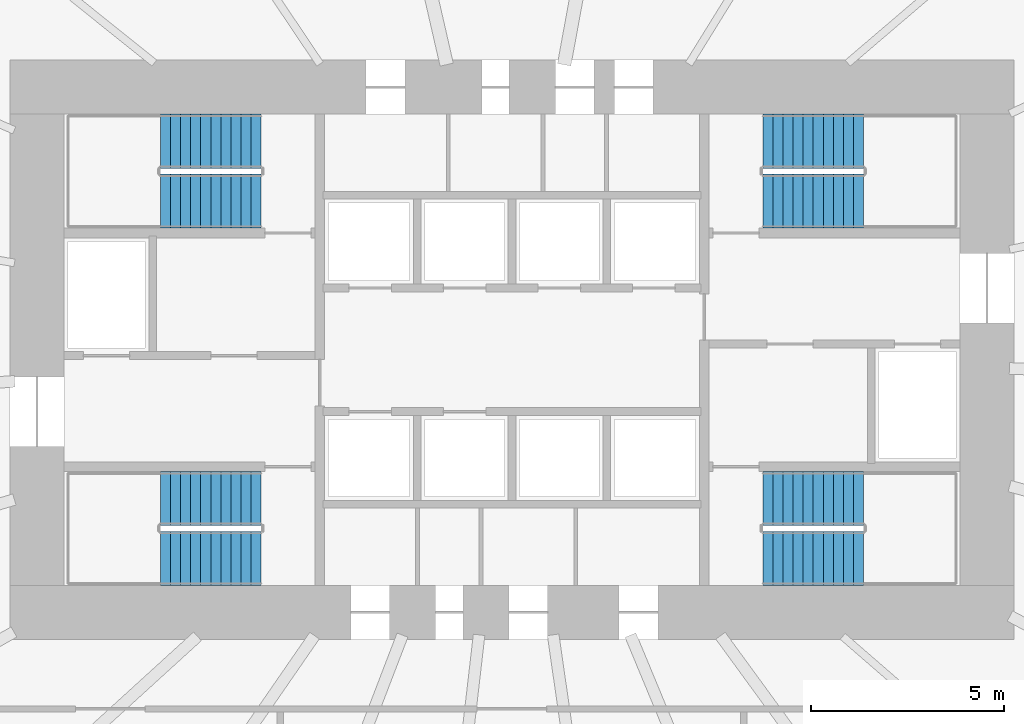
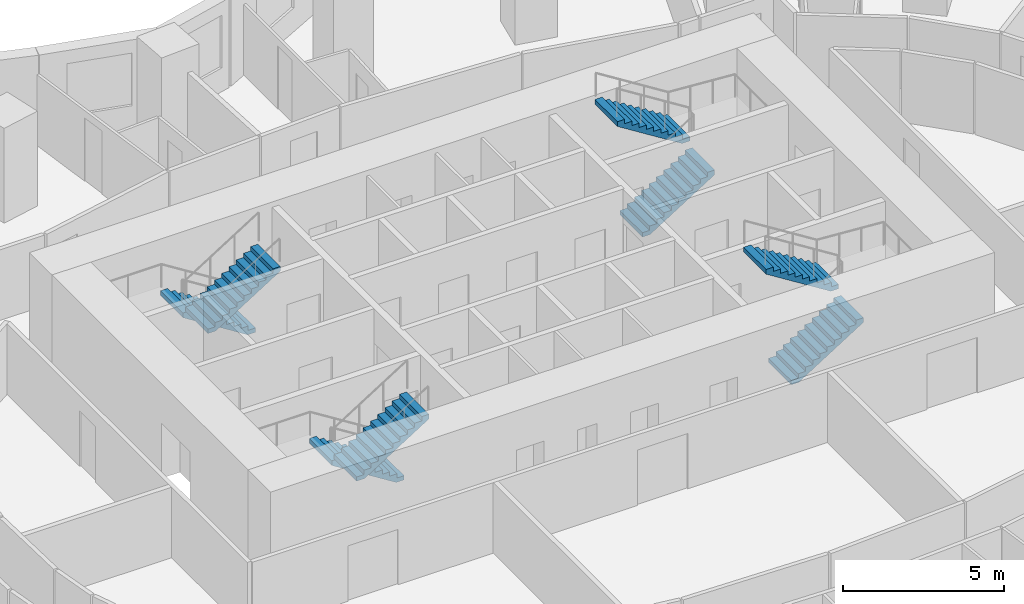
# One storey, part 10 of 11: 8 stair flights, 4 elements without a shape of their own.
"""IFC4 building model written with IfcOpenShell, lengths in metres."""

from ifc_helpers import new_model, si_unit, direction, frame, origin, place, context, subcontext, project, spatial, polyline, outline, extrude, material, type_object, element, aggregate, save


model = new_model("IFC4")

# Units and contexts
model_context = context("Model", 3, precision=1e-05, world=origin(), true_north=direction((0.0, 1.0)))
body_context = subcontext(model_context, "Body", "Model", "MODEL_VIEW")
ifc_project = project(units=[si_unit("LENGTHUNIT", "METRE"), si_unit("AREAUNIT", "SQUARE_METRE"), si_unit("VOLUMEUNIT", "CUBIC_METRE"), si_unit("PLANEANGLEUNIT", "RADIAN"), si_unit("MASSUNIT", "GRAM", prefix="KILO")], contexts=[model_context])

# Site, building, storey
site_placement = place(None, origin())
site = spatial("IfcSite", under=ifc_project, at=site_placement, CompositionType="ELEMENT")
building_placement = place(site_placement, origin())
building = spatial("IfcBuilding", under=site, at=building_placement, Name="Rubra Terraces Tower", CompositionType="ELEMENT")
storey_placement = place(building_placement, frame((0.0, 0.0, 66.300048828125)))
storey = spatial("IfcBuildingStorey", under=building, at=storey_placement, Name="L14", CompositionType="ELEMENT", Elevation=66.300048828125)

# Stair, stair flights
ifc_material = material(Name="Concrete C40", Category="concrete")
stair_type = type_object("IfcStairType", Name="Core stair 1400", PredefinedType="HALF_TURN_STAIR", material=ifc_material)
stair_1_placement = place(storey_placement, origin())
stair_1 = element("IfcStair", 1, at=stair_1_placement, inside=storey, type_object=stair_type, Name="L14 Exit stair S1", PredefinedType="HALF_TURN_STAIR")
stair_flight_type = type_object("IfcStairFlightType", Name="Core stair flight 1400", PredefinedType="STRAIGHT", material=ifc_material)
stair_flight_1_placement = place(storey_placement, frame((-6.5, 0.64990234375, 0.0), z_axis=(0.0, 0.0, 1.0), x_axis=(-1.0, 0.0, 0.0)))
stair_flight_1 = element("IfcStairFlight", 2, at=stair_flight_1_placement, type_object=stair_flight_type, Name="S1 flight 1", NumberOfRisers=11, NumberOfTreads=10, PredefinedType="STRAIGHT", RiserHeight=0.163636364, TreadLength=0.26, context=body_context, shape_type="SweptSolid", body=[
    extrude(outline(polyline([(0.0, 0.0), (0.0, 0.16357421875), (0.260009765625, 0.16357421875), (0.260009765625, 0.327392578125), (0.52001953125, 0.327392578125), (0.52001953125, 0.490966796875), (0.780029296875, 0.490966796875), (0.780029296875, 0.654541015625), (1.0400390625, 0.654541015625), (1.0400390625, 0.818115234375), (1.300048828125, 0.818115234375), (1.300048828125, 0.98193359375), (1.56005859375, 0.98193359375), (1.56005859375, 1.1455078125), (1.820068359375, 1.1455078125), (1.820068359375, 1.30908203125), (2.080078125, 1.30908203125), (2.080078125, 1.47265625), (2.340087890625, 1.47265625), (2.340087890625, 1.636474609375), (2.60009765625, 1.636474609375), (2.60009765625, 1.800048828125), (2.60009765625, 1.459228515625), (0.281494140625, 0.0), (0.0, 0.0)])), frame((0.0, 0.699951171875, 0.0), z_axis=(0.0, -1.0, 0.0), x_axis=(1.0, 0.0, 0.0)), (0.0, 0.0, 1.0), 1.39990234375),
])
stair_flight_2_placement = place(storey_placement, frame((-9.10009765625, -0.89990234375, 1.800048828125), z_axis=(0.0, 0.0, 1.0), x_axis=(1.0, 0.0, 0.0)))
stair_flight_2 = element("IfcStairFlight", 3, at=stair_flight_2_placement, type_object=stair_flight_type, Name="S1 flight 2", NumberOfRisers=11, NumberOfTreads=10, PredefinedType="STRAIGHT", RiserHeight=0.163636364, TreadLength=0.26, context=body_context, shape_type="SweptSolid", body=[
    extrude(outline(polyline([(0.0, 0.0), (0.0, 0.16357421875), (0.260009765625, 0.16357421875), (0.260009765625, 0.327392578125), (0.52001953125, 0.327392578125), (0.52001953125, 0.490966796875), (0.780029296875, 0.490966796875), (0.780029296875, 0.654541015625), (1.0400390625, 0.654541015625), (1.0400390625, 0.818115234375), (1.300048828125, 0.818115234375), (1.300048828125, 0.98193359375), (1.56005859375, 0.98193359375), (1.56005859375, 1.1455078125), (1.820068359375, 1.1455078125), (1.820068359375, 1.30908203125), (2.080078125, 1.30908203125), (2.080078125, 1.47265625), (2.340087890625, 1.47265625), (2.340087890625, 1.636474609375), (2.60009765625, 1.636474609375), (2.60009765625, 1.800048828125), (2.60009765625, 1.459228515625), (0.281494140625, 0.0), (0.0, 0.0)])), frame((0.0, 0.699951171875, 0.0), z_axis=(0.0, -1.0, 0.0), x_axis=(1.0, 0.0, 0.0)), (0.0, 0.0, 1.0), 1.39990234375),
])
aggregate(stair_1, [stair_flight_1, stair_flight_2])

stair_2_placement = place(storey_placement, origin())
stair_2 = element("IfcStair", 4, at=stair_2_placement, inside=storey, type_object=stair_type, Name="L14 Exit stair S2", PredefinedType="HALF_TURN_STAIR")
stair_flight_3_placement = place(storey_placement, frame((-6.5, 9.89990234375, 0.0), z_axis=(0.0, 0.0, 1.0), x_axis=(-1.0, 0.0, 0.0)))
stair_flight_3 = element("IfcStairFlight", 5, at=stair_flight_3_placement, type_object=stair_flight_type, Name="S2 flight 1", NumberOfRisers=11, NumberOfTreads=10, PredefinedType="STRAIGHT", RiserHeight=0.163636364, TreadLength=0.26, context=body_context, shape_type="SweptSolid", body=[
    extrude(outline(polyline([(0.0, 0.0), (0.0, 0.16357421875), (0.260009765625, 0.16357421875), (0.260009765625, 0.327392578125), (0.52001953125, 0.327392578125), (0.52001953125, 0.490966796875), (0.780029296875, 0.490966796875), (0.780029296875, 0.654541015625), (1.0400390625, 0.654541015625), (1.0400390625, 0.818115234375), (1.300048828125, 0.818115234375), (1.300048828125, 0.98193359375), (1.56005859375, 0.98193359375), (1.56005859375, 1.1455078125), (1.820068359375, 1.1455078125), (1.820068359375, 1.30908203125), (2.080078125, 1.30908203125), (2.080078125, 1.47265625), (2.340087890625, 1.47265625), (2.340087890625, 1.636474609375), (2.60009765625, 1.636474609375), (2.60009765625, 1.800048828125), (2.60009765625, 1.459228515625), (0.281494140625, 0.0), (0.0, 0.0)])), frame((0.0, 0.699951171875, 0.0), z_axis=(0.0, -1.0, 0.0), x_axis=(1.0, 0.0, 0.0)), (0.0, 0.0, 1.0), 1.39990234375),
])
stair_flight_4_placement = place(storey_placement, frame((-9.10009765625, 8.35009765625, 1.800048828125), z_axis=(0.0, 0.0, 1.0), x_axis=(1.0, 0.0, 0.0)))
stair_flight_4 = element("IfcStairFlight", 6, at=stair_flight_4_placement, type_object=stair_flight_type, Name="S2 flight 2", NumberOfRisers=11, NumberOfTreads=10, PredefinedType="STRAIGHT", RiserHeight=0.163636364, TreadLength=0.26, context=body_context, shape_type="SweptSolid", body=[
    extrude(outline(polyline([(0.0, 0.0), (0.0, 0.16357421875), (0.260009765625, 0.16357421875), (0.260009765625, 0.327392578125), (0.52001953125, 0.327392578125), (0.52001953125, 0.490966796875), (0.780029296875, 0.490966796875), (0.780029296875, 0.654541015625), (1.0400390625, 0.654541015625), (1.0400390625, 0.818115234375), (1.300048828125, 0.818115234375), (1.300048828125, 0.98193359375), (1.56005859375, 0.98193359375), (1.56005859375, 1.1455078125), (1.820068359375, 1.1455078125), (1.820068359375, 1.30908203125), (2.080078125, 1.30908203125), (2.080078125, 1.47265625), (2.340087890625, 1.47265625), (2.340087890625, 1.636474609375), (2.60009765625, 1.636474609375), (2.60009765625, 1.800048828125), (2.60009765625, 1.459228515625), (0.281494140625, 0.0), (0.0, 0.0)])), frame((0.0, 0.699951171875, 0.0), z_axis=(0.0, -1.0, 0.0), x_axis=(1.0, 0.0, 0.0)), (0.0, 0.0, 1.0), 1.39990234375),
])
aggregate(stair_2, [stair_flight_3, stair_flight_4])

stair_3_placement = place(storey_placement, origin())
stair_3 = element("IfcStair", 7, at=stair_3_placement, inside=storey, type_object=stair_type, Name="L14 Exit stair S3", PredefinedType="HALF_TURN_STAIR")
stair_flight_5_placement = place(storey_placement, frame((6.5, 8.35009765625, 0.0), z_axis=(0.0, 0.0, 1.0), x_axis=(1.0, 0.0, 0.0)))
stair_flight_5 = element("IfcStairFlight", 8, at=stair_flight_5_placement, type_object=stair_flight_type, Name="S3 flight 1", NumberOfRisers=11, NumberOfTreads=10, PredefinedType="STRAIGHT", RiserHeight=0.163636364, TreadLength=0.26, context=body_context, shape_type="SweptSolid", body=[
    extrude(outline(polyline([(0.0, 0.0), (0.0, 0.16357421875), (0.260009765625, 0.16357421875), (0.260009765625, 0.327392578125), (0.52001953125, 0.327392578125), (0.52001953125, 0.490966796875), (0.780029296875, 0.490966796875), (0.780029296875, 0.654541015625), (1.0400390625, 0.654541015625), (1.0400390625, 0.818115234375), (1.300048828125, 0.818115234375), (1.300048828125, 0.98193359375), (1.56005859375, 0.98193359375), (1.56005859375, 1.1455078125), (1.820068359375, 1.1455078125), (1.820068359375, 1.30908203125), (2.080078125, 1.30908203125), (2.080078125, 1.47265625), (2.340087890625, 1.47265625), (2.340087890625, 1.636474609375), (2.60009765625, 1.636474609375), (2.60009765625, 1.800048828125), (2.60009765625, 1.459228515625), (0.281494140625, 0.0), (0.0, 0.0)])), frame((0.0, 0.699951171875, 0.0), z_axis=(0.0, -1.0, 0.0), x_axis=(1.0, 0.0, 0.0)), (0.0, 0.0, 1.0), 1.39990234375),
])
stair_flight_6_placement = place(storey_placement, frame((9.10009765625, 9.89990234375, 1.800048828125), z_axis=(0.0, 0.0, 1.0), x_axis=(-1.0, 0.0, 0.0)))
stair_flight_6 = element("IfcStairFlight", 9, at=stair_flight_6_placement, type_object=stair_flight_type, Name="S3 flight 2", NumberOfRisers=11, NumberOfTreads=10, PredefinedType="STRAIGHT", RiserHeight=0.163636364, TreadLength=0.26, context=body_context, shape_type="SweptSolid", body=[
    extrude(outline(polyline([(0.0, 0.0), (0.0, 0.16357421875), (0.260009765625, 0.16357421875), (0.260009765625, 0.327392578125), (0.52001953125, 0.327392578125), (0.52001953125, 0.490966796875), (0.780029296875, 0.490966796875), (0.780029296875, 0.654541015625), (1.0400390625, 0.654541015625), (1.0400390625, 0.818115234375), (1.300048828125, 0.818115234375), (1.300048828125, 0.98193359375), (1.56005859375, 0.98193359375), (1.56005859375, 1.1455078125), (1.820068359375, 1.1455078125), (1.820068359375, 1.30908203125), (2.080078125, 1.30908203125), (2.080078125, 1.47265625), (2.340087890625, 1.47265625), (2.340087890625, 1.636474609375), (2.60009765625, 1.636474609375), (2.60009765625, 1.800048828125), (2.60009765625, 1.459228515625), (0.281494140625, 0.0), (0.0, 0.0)])), frame((0.0, 0.699951171875, 0.0), z_axis=(0.0, -1.0, 0.0), x_axis=(1.0, 0.0, 0.0)), (0.0, 0.0, 1.0), 1.39990234375),
])
aggregate(stair_3, [stair_flight_5, stair_flight_6])

stair_4_placement = place(storey_placement, origin())
stair_4 = element("IfcStair", 10, at=stair_4_placement, inside=storey, type_object=stair_type, Name="L14 Exit stair S4", PredefinedType="HALF_TURN_STAIR")
stair_flight_7_placement = place(storey_placement, frame((6.5, -0.89990234375, 0.0), z_axis=(0.0, 0.0, 1.0), x_axis=(1.0, 0.0, 0.0)))
stair_flight_7 = element("IfcStairFlight", 11, at=stair_flight_7_placement, type_object=stair_flight_type, Name="S4 flight 1", NumberOfRisers=11, NumberOfTreads=10, PredefinedType="STRAIGHT", RiserHeight=0.163636364, TreadLength=0.26, context=body_context, shape_type="SweptSolid", body=[
    extrude(outline(polyline([(0.0, 0.0), (0.0, 0.16357421875), (0.260009765625, 0.16357421875), (0.260009765625, 0.327392578125), (0.52001953125, 0.327392578125), (0.52001953125, 0.490966796875), (0.780029296875, 0.490966796875), (0.780029296875, 0.654541015625), (1.0400390625, 0.654541015625), (1.0400390625, 0.818115234375), (1.300048828125, 0.818115234375), (1.300048828125, 0.98193359375), (1.56005859375, 0.98193359375), (1.56005859375, 1.1455078125), (1.820068359375, 1.1455078125), (1.820068359375, 1.30908203125), (2.080078125, 1.30908203125), (2.080078125, 1.47265625), (2.340087890625, 1.47265625), (2.340087890625, 1.636474609375), (2.60009765625, 1.636474609375), (2.60009765625, 1.800048828125), (2.60009765625, 1.459228515625), (0.281494140625, 0.0), (0.0, 0.0)])), frame((0.0, 0.699951171875, 0.0), z_axis=(0.0, -1.0, 0.0), x_axis=(1.0, 0.0, 0.0)), (0.0, 0.0, 1.0), 1.39990234375),
])
stair_flight_8_placement = place(storey_placement, frame((9.10009765625, 0.64990234375, 1.800048828125), z_axis=(0.0, 0.0, 1.0), x_axis=(-1.0, 0.0, 0.0)))
stair_flight_8 = element("IfcStairFlight", 12, at=stair_flight_8_placement, type_object=stair_flight_type, Name="S4 flight 2", NumberOfRisers=11, NumberOfTreads=10, PredefinedType="STRAIGHT", RiserHeight=0.163636364, TreadLength=0.26, context=body_context, shape_type="SweptSolid", body=[
    extrude(outline(polyline([(0.0, 0.0), (0.0, 0.16357421875), (0.260009765625, 0.16357421875), (0.260009765625, 0.327392578125), (0.52001953125, 0.327392578125), (0.52001953125, 0.490966796875), (0.780029296875, 0.490966796875), (0.780029296875, 0.654541015625), (1.0400390625, 0.654541015625), (1.0400390625, 0.818115234375), (1.300048828125, 0.818115234375), (1.300048828125, 0.98193359375), (1.56005859375, 0.98193359375), (1.56005859375, 1.1455078125), (1.820068359375, 1.1455078125), (1.820068359375, 1.30908203125), (2.080078125, 1.30908203125), (2.080078125, 1.47265625), (2.340087890625, 1.47265625), (2.340087890625, 1.636474609375), (2.60009765625, 1.636474609375), (2.60009765625, 1.800048828125), (2.60009765625, 1.459228515625), (0.281494140625, 0.0), (0.0, 0.0)])), frame((0.0, 0.699951171875, 0.0), z_axis=(0.0, -1.0, 0.0), x_axis=(1.0, 0.0, 0.0)), (0.0, 0.0, 1.0), 1.39990234375),
])
aggregate(stair_4, [stair_flight_7, stair_flight_8])

save(model, "model.ifc")
